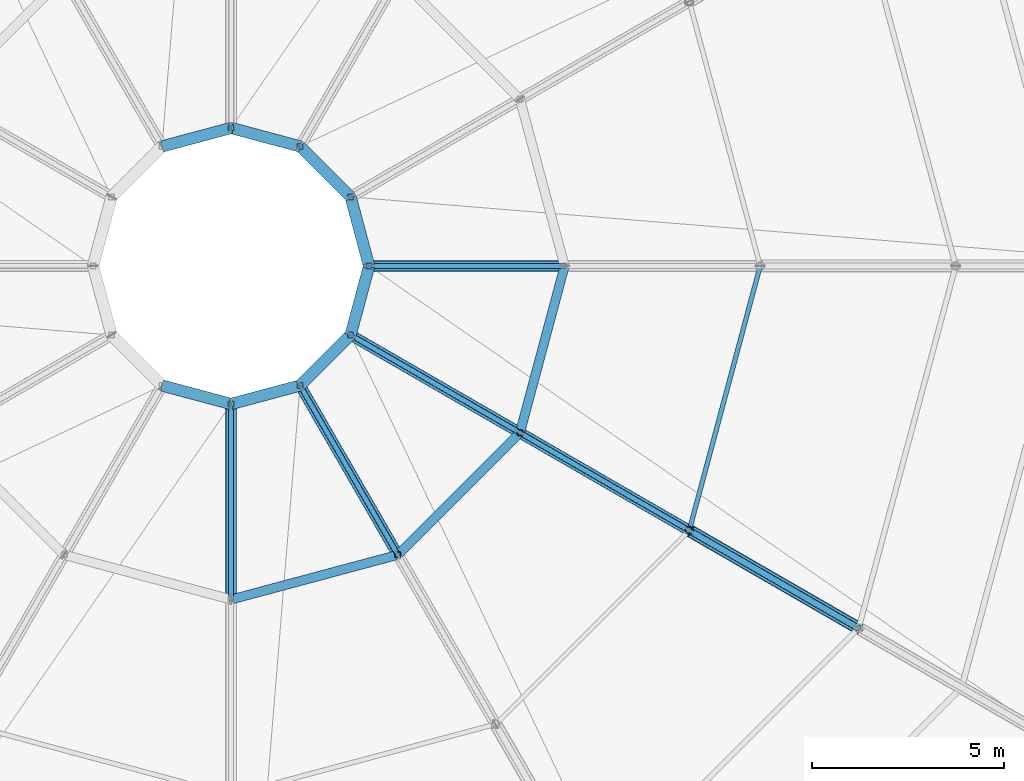
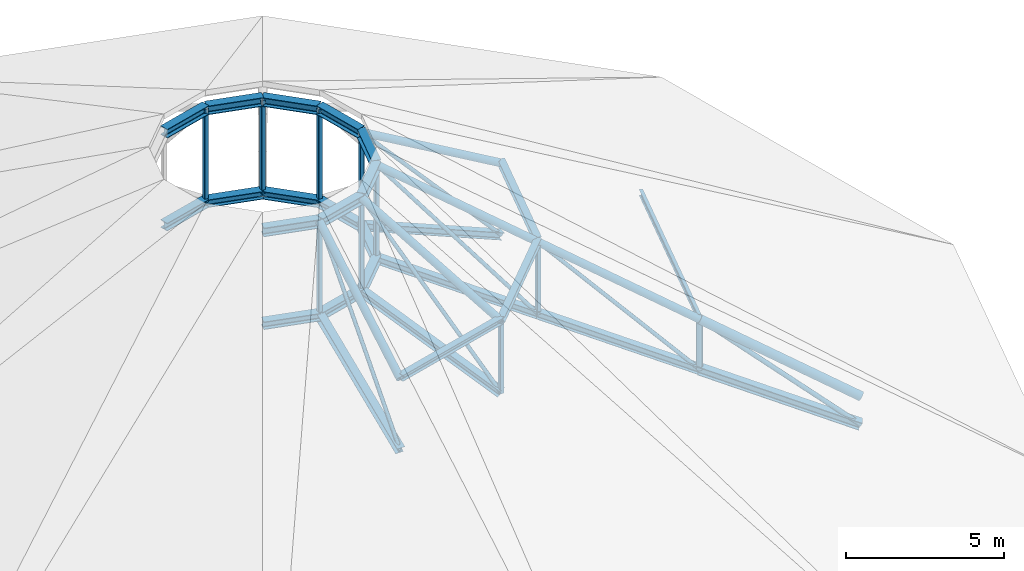
# One storey, part 19 of 58: 32 members, 16 beams.
"""IFC4 building model written with IfcOpenShell, lengths in metres."""

from ifc_helpers import new_model, si_unit, derived_unit, direction, frame, origin, origin_2d, place, context, subcontext, project, spatial, hollow_rectangle, hollow_circle, i_section, extrude, material, material_profile, profile_set, type_object, element, save


model = new_model("IFC4")

# Units and contexts
model_context = context("Model", 3, precision=1e-05, world=origin(), true_north=direction((0.0, 1.0)))
body_context = subcontext(model_context, "Body", "Model", "MODEL_VIEW")
ifc_project = project(units=[si_unit("LENGTHUNIT", "METRE"), si_unit("AREAUNIT", "SQUARE_METRE"), si_unit("VOLUMEUNIT", "CUBIC_METRE"), si_unit("PLANEANGLEUNIT", "RADIAN"), si_unit("MASSUNIT", "GRAM", prefix="KILO"), derived_unit("THERMALTRANSMITTANCEUNIT", [(si_unit("POWERUNIT", "WATT"), 1), (si_unit("AREAUNIT", "SQUARE_METRE"), -1), (si_unit("THERMODYNAMICTEMPERATUREUNIT", "KELVIN"), -1)])], contexts=[model_context])

# Site, building, storey
site_placement = place(None, origin())
site = spatial("IfcSite", under=ifc_project, at=site_placement, CompositionType="ELEMENT")
building_placement = place(site_placement, origin())
building = spatial("IfcBuilding", under=site, at=building_placement, Name="Yasenodar Specialist Clinic", CompositionType="ELEMENT")
storey_placement = place(building_placement, frame((0.0, 0.0, 21.300048828125)))
storey = spatial("IfcBuildingStorey", under=building, at=storey_placement, Name="L05", CompositionType="ELEMENT", Elevation=21.300048828125)

# Beams
ifc_material = material(Name="Steel S355", Category="steel")
ifc_material_profile_1 = material_profile(ifc_material, i_section(OverallWidth=0.300048828125, OverallDepth=0.300048828125, WebThickness=0.010986328125, FlangeThickness=0.01904296875, FilletRadius=0.027099609375, at=origin_2d()), Name="HEB 300")
ifc_profile_set_1 = profile_set([ifc_material_profile_1], Name="Steel S355")
beam_type_1 = type_object("IfcBeamType", Name="BM-HEB300", PredefinedType="BEAM", material=ifc_profile_set_1)
for number, where, z_axis, x_axis, name in (
    (1, (84.60009765625, 58.800048828125, 8.300048828125), (-0.25886923328, 0.96591237701, 0.0), (-0.96591237701, -0.25886923328, 0.0), "Chhatri Tension Tie Ring Segment 01"),
    (2, (84.11767578125, 60.60009765625, 8.300048828125), (-0.707106781187, 0.707106781187, 0.0), (-0.707106781187, -0.707106781187, 0.0), "Chhatri Tension Tie Ring Segment 02"),
    (3, (82.800048828125, 61.917724609375, 8.300048828125), (-0.965945127956, 0.258746999554, 0.0), (-0.258746999554, -0.965945127956, 0.0), "Chhatri Tension Tie Ring Segment 03"),
    (4, (81.0, 62.39990234375, 8.300048828125), (-0.965945127956, -0.258746999554, 0.0), (0.258746999554, -0.965945127956, 0.0), "Chhatri Tension Tie Ring Segment 04"),
    (5, (79.199951171875, 55.682373046875, 8.300048828125), (0.96591237701, -0.25886923328, 0.0), (0.25886923328, 0.96591237701, 0.0), "Chhatri Tension Tie Ring Segment 09"),
    (6, (81.0, 55.199951171875, 8.300048828125), (0.96591237701, 0.25886923328, 0.0), (-0.25886923328, 0.96591237701, 0.0), "Chhatri Tension Tie Ring Segment 10"),
    (7, (82.800048828125, 55.682373046875, 8.300048828125), (0.707106781187, 0.707106781187, 0.0), (-0.707106781187, 0.707106781187, 0.0), "Chhatri Tension Tie Ring Segment 11"),
    (8, (84.11767578125, 57.0, 8.300048828125), (0.25886923328, 0.96591237701, 0.0), (-0.96591237701, 0.25886923328, 0.0), "Chhatri Tension Tie Ring Segment 12"),
):
    element("IfcBeam", number, at=place(storey_placement, frame(where, z_axis=z_axis, x_axis=x_axis)), inside=storey, type_object=beam_type_1, Name=name, PredefinedType="BEAM", context=body_context, shape_type="SweptSolid", body=[
        extrude(i_section(OverallWidth=0.300048828125, OverallDepth=0.300048828125, WebThickness=0.010986328125, FlangeThickness=0.01904296875, FilletRadius=0.027099609375, at=origin_2d()), origin(), (0.0, 0.0, 1.0), 1.863525390625),
    ])
ifc_material_profile_2 = material_profile(ifc_material, i_section(OverallWidth=0.300048828125, OverallDepth=0.340087890625, WebThickness=0.011962890625, FlangeThickness=0.021484375, FilletRadius=0.027099609375, at=origin_2d()), Name="HEB 340")
ifc_profile_set_2 = profile_set([ifc_material_profile_2], Name="Steel S355")
beam_type_2 = type_object("IfcBeamType", Name="BM-HEB340", PredefinedType="BEAM", material=ifc_profile_set_2)
for number, where, z_axis, x_axis, name in (
    (9, (84.60009765625, 58.800048828125, 11.89990234375), (-0.25886923328, 0.96591237701, 0.0), (-0.96591237701, -0.25886923328, 0.0), "Chhatri Compression Ring Segment 01"),
    (10, (84.11767578125, 60.60009765625, 11.89990234375), (-0.707106781187, 0.707106781187, 0.0), (-0.707106781187, -0.707106781187, 0.0), "Chhatri Compression Ring Segment 02"),
    (11, (82.800048828125, 61.917724609375, 11.89990234375), (-0.965945127956, 0.258746999554, 0.0), (-0.258746999554, -0.965945127956, 0.0), "Chhatri Compression Ring Segment 03"),
    (12, (81.0, 62.39990234375, 11.89990234375), (-0.965945127956, -0.258746999554, 0.0), (0.258746999554, -0.965945127956, 0.0), "Chhatri Compression Ring Segment 04"),
    (13, (79.199951171875, 55.682373046875, 11.89990234375), (0.96591237701, -0.25886923328, 0.0), (0.25886923328, 0.96591237701, 0.0), "Chhatri Compression Ring Segment 09"),
    (14, (81.0, 55.199951171875, 11.89990234375), (0.96591237701, 0.25886923328, 0.0), (-0.25886923328, 0.96591237701, 0.0), "Chhatri Compression Ring Segment 10"),
    (15, (82.800048828125, 55.682373046875, 11.89990234375), (0.707106781187, 0.707106781187, 0.0), (-0.707106781187, 0.707106781187, 0.0), "Chhatri Compression Ring Segment 11"),
    (16, (84.11767578125, 57.0, 11.89990234375), (0.25886923328, 0.96591237701, 0.0), (-0.96591237701, 0.25886923328, 0.0), "Chhatri Compression Ring Segment 12"),
):
    element("IfcBeam", number, at=place(storey_placement, frame(where, z_axis=z_axis, x_axis=x_axis)), inside=storey, type_object=beam_type_2, Name=name, PredefinedType="BEAM", context=body_context, shape_type="SweptSolid", body=[
        extrude(i_section(OverallWidth=0.300048828125, OverallDepth=0.340087890625, WebThickness=0.011962890625, FlangeThickness=0.021484375, FilletRadius=0.027099609375, at=origin_2d()), origin(), (0.0, 0.0, 1.0), 1.863525390625),
    ])

# Members
ifc_material_profile_3 = material_profile(ifc_material, i_section(OverallWidth=0.239990234375, OverallDepth=0.22998046875, WebThickness=0.007568359375, FlangeThickness=0.011962890625, FilletRadius=0.02099609375, at=origin_2d()), Name="HEA 240")
ifc_profile_set_3 = profile_set([ifc_material_profile_3], Name="Steel S355")
member_type_1 = type_object("IfcMemberType", Name="PR-HEA240", PredefinedType="PURLIN", material=ifc_profile_set_3)
for number, where, z_axis, x_axis, name in (
    (17, (81.0, 50.10009765625, 8.98486328125), (0.965930145555, 0.258802924845, 0.0), (-0.258802924845, 0.965930145555, 0.0), "Drum Roof Concentric Purlin 4.10"),
    (18, (85.35009765625, 51.265625, 8.98486328125), (0.707106781187, 0.707106781187, 0.0), (-0.707106781187, 0.707106781187, 0.0), "Drum Roof Concentric Purlin 4.11"),
    (19, (88.534423828125, 54.449951171875, 8.98486328125), (0.258802924845, 0.965930145555, 0.0), (-0.965930145555, 0.258802924845, 0.0), "Drum Roof Concentric Purlin 4.12"),
):
    element("IfcMember", number, at=place(storey_placement, frame(where, z_axis=z_axis, x_axis=x_axis)), inside=storey, type_object=member_type_1, Name=name, PredefinedType="PURLIN", context=body_context, shape_type="SweptSolid", body=[
        extrude(i_section(OverallWidth=0.239990234375, OverallDepth=0.22998046875, WebThickness=0.007568359375, FlangeThickness=0.011962890625, FilletRadius=0.02099609375, at=origin_2d()), origin(), (0.0, 0.0, 1.0), 4.50341796875),
    ])
ifc_material_profile_4 = material_profile(ifc_material, i_section(OverallWidth=0.1201171875, OverallDepth=0.239990234375, WebThickness=0.006103515625, FlangeThickness=0.009765625, FilletRadius=0.014892578125, at=origin_2d()), Name="IPE 240")
ifc_profile_set_4 = profile_set([ifc_material_profile_4], Name="Steel S355")
member_type_2 = type_object("IfcMemberType", Name="PR-IPE240", PredefinedType="PURLIN", material=ifc_profile_set_4)
member_1_placement = place(storey_placement, frame((92.951171875, 51.89990234375, 6.010009765625), z_axis=(0.258817513709, 0.965926236623, 0.0), x_axis=(-0.965926236623, 0.258817513709, 0.0)))
element("IfcMember", 20, at=member_1_placement, inside=storey, type_object=member_type_2, Name="Drum Roof Concentric Purlin 3.12", PredefinedType="PURLIN", context=body_context, shape_type="SweptSolid", body=[
    extrude(i_section(OverallWidth=0.1201171875, OverallDepth=0.239990234375, WebThickness=0.006103515625, FlangeThickness=0.009765625, FilletRadius=0.014892578125, at=origin_2d()), origin(), (0.0, 0.0, 1.0), 7.1435546875),
])
ifc_material_profile_5 = material_profile(ifc_material, hollow_circle(Radius=0.06982421875, WallThickness=0.00634765625, at=origin_2d()), Name="CHS 139.7x6.3")
ifc_profile_set_5 = profile_set([ifc_material_profile_5], Name="Steel S355")
member_type_3 = type_object("IfcMemberType", Name="TR-BRC-CHS139", PredefinedType="BRACE", material=ifc_profile_set_5)
for number, where, z_axis, x_axis, name in (
    (21, (89.699951171875, 58.800048828125, 6.162353515625), (-0.664350020504, 0.0, 0.747421601411), (0.0, -1.0, 0.0), "Drum Roof Truss 01 Web Diagonal 4"),
    (22, (81.0, 50.10009765625, 6.162353515625), (0.0, 0.664350020504, 0.747421601411), (-1.0, 0.0, 0.0), "Drum Roof Truss 10 Web Diagonal 4"),
    (23, (85.35009765625, 51.265625, 6.162353515625), (-0.332185538726, 0.575353621933, 0.747409511306), (-0.86602216432, -0.500005610874, 0.0), "Drum Roof Truss 11 Web Diagonal 4"),
):
    element("IfcMember", number, at=place(storey_placement, frame(where, z_axis=z_axis, x_axis=x_axis)), inside=storey, type_object=member_type_3, Name=name, PredefinedType="BRACE", context=body_context, shape_type="SweptSolid", body=[
        extrude(hollow_circle(Radius=0.06982421875, WallThickness=0.00634765625, at=origin_2d()), origin(), (0.0, 0.0, 1.0), 7.676513671875),
    ])
member_2_placement = place(storey_placement, frame((92.951171875, 51.89990234375, 4.02490234375), z_axis=(-0.624486076732, 0.360552599163, 0.692834008407), x_axis=(-0.500005610874, -0.86602216432, 0.0)))
element("IfcMember", 24, at=member_2_placement, inside=storey, type_object=member_type_3, Name="Drum Roof Truss 12 Web Diagonal 3", PredefinedType="BRACE", context=body_context, shape_type="SweptSolid", body=[
    extrude(hollow_circle(Radius=0.06982421875, WallThickness=0.00634765625, at=origin_2d()), origin(), (0.0, 0.0, 1.0), 7.072509765625),
])
member_3_placement = place(storey_placement, frame((88.534423828125, 54.449951171875, 6.162353515625), z_axis=(-0.575353621933, 0.332185538726, 0.747409511306), x_axis=(-0.500005610874, -0.86602216432, 0.0)))
element("IfcMember", 25, at=member_3_placement, inside=storey, type_object=member_type_3, Name="Drum Roof Truss 12 Web Diagonal 4", PredefinedType="BRACE", context=body_context, shape_type="SweptSolid", body=[
    extrude(hollow_circle(Radius=0.06982421875, WallThickness=0.00634765625, at=origin_2d()), origin(), (0.0, 0.0, 1.0), 7.676513671875),
])
ifc_material_profile_6 = material_profile(ifc_material, hollow_circle(Radius=0.084228515625, WallThickness=0.008056640625, at=origin_2d()), Name="CHS 168.3x8")
ifc_profile_set_6 = profile_set([ifc_material_profile_6], Name="Steel S355")
member_type_4 = type_object("IfcMemberType", Name="TR-BRC-CHS168", PredefinedType="BRACE", material=ifc_profile_set_6)
member_4_placement = place(storey_placement, frame((97.367919921875, 49.35009765625, 1.887451171875), z_axis=(-0.677394044093, 0.391062041706, 0.623063229988), x_axis=(-0.499969707105, -0.866042892689, 0.0)))
element("IfcMember", 26, at=member_4_placement, inside=storey, type_object=member_type_4, Name="Drum Roof Truss 12 Web Diagonal 2", PredefinedType="BRACE", context=body_context, shape_type="SweptSolid", body=[
    extrude(hollow_circle(Radius=0.084228515625, WallThickness=0.008056640625, at=origin_2d()), origin(), (0.0, 0.0, 1.0), 6.520263671875),
])
ifc_material_profile_7 = material_profile(ifc_material, hollow_circle(Radius=0.136474609375, WallThickness=0.012451171875, at=origin_2d()), Name="CHS 273x12.5")
ifc_profile_set_7 = profile_set([ifc_material_profile_7], Name="Steel S355")
member_type_5 = type_object("IfcMemberType", Name="TR-CHD-CHS273", PredefinedType="CHORD", material=ifc_profile_set_7)
for number, where, z_axis, x_axis, name in (
    (27, (89.699951171875, 58.800048828125, 8.925048828125), (-0.863783400208, 0.0, 0.503863312343), (0.0, -1.0, 0.0), "Drum Roof Truss 01 Top Chord 4"),
    (28, (81.0, 50.10009765625, 8.925048828125), (0.0, 0.863783400208, 0.503863312343), (-1.0, 0.0, 0.0), "Drum Roof Truss 10 Top Chord 4"),
):
    element("IfcMember", number, at=place(storey_placement, frame(where, z_axis=z_axis, x_axis=x_axis)), inside=storey, type_object=member_type_5, Name=name, PredefinedType="CHORD", context=body_context, shape_type="SweptSolid", body=[
        extrude(hollow_circle(Radius=0.136474609375, WallThickness=0.012451171875, at=origin_2d()), origin(), (0.0, 0.0, 1.0), 5.904052734375),
    ])
for number, where, z_axis, x_axis, name in (
    (29, (85.35009765625, 51.265625, 8.925048828125), (-0.431900565152, 0.748062529838, 0.503849534359), (-0.86602216432, -0.500005610874, 0.0), "Drum Roof Truss 11 Top Chord 4"),
    (30, (92.951171875, 51.89990234375, 5.949951171875), (-0.748046944425, 0.431891566774, 0.50388038609), (-0.500005610874, -0.86602216432, 0.0), "Drum Roof Truss 12 Top Chord 3"),
    (31, (88.534423828125, 54.449951171875, 8.925048828125), (-0.748062529838, 0.431900565152, 0.503849534359), (-0.500005610874, -0.86602216432, 0.0), "Drum Roof Truss 12 Top Chord 4"),
):
    element("IfcMember", number, at=place(storey_placement, frame(where, z_axis=z_axis, x_axis=x_axis)), inside=storey, type_object=member_type_5, Name=name, PredefinedType="CHORD", context=body_context, shape_type="SweptSolid", body=[
        extrude(hollow_circle(Radius=0.136474609375, WallThickness=0.012451171875, at=origin_2d()), origin(), (0.0, 0.0, 1.0), 5.904296875),
    ])
ifc_material_profile_8 = material_profile(ifc_material, hollow_circle(Radius=0.161865234375, WallThickness=0.01611328125, at=origin_2d()), Name="CHS 323.9x16")
ifc_profile_set_8 = profile_set([ifc_material_profile_8], Name="Steel S355")
member_type_6 = type_object("IfcMemberType", Name="TR-CHD-CHS324", PredefinedType="CHORD", material=ifc_profile_set_8)
member_5_placement = place(storey_placement, frame((97.367919921875, 49.35009765625, 2.974853515625), z_axis=(-0.748060303017, 0.431857929617, 0.503889384366), x_axis=(-0.499969707105, -0.866042892689, 0.0)))
element("IfcMember", 32, at=member_5_placement, inside=storey, type_object=member_type_6, Name="Drum Roof Truss 12 Top Chord 2", PredefinedType="CHORD", context=body_context, shape_type="SweptSolid", body=[
    extrude(hollow_circle(Radius=0.161865234375, WallThickness=0.01611328125, at=origin_2d()), origin(), (0.0, 0.0, 1.0), 5.904296875),
])
ifc_material_profile_9 = material_profile(ifc_material, i_section(OverallWidth=0.280029296875, OverallDepth=0.27001953125, WebThickness=0.008056640625, FlangeThickness=0.012939453125, FilletRadius=0.02392578125, at=origin_2d()), Name="HEA 280")
ifc_profile_set_9 = profile_set([ifc_material_profile_9], Name="Steel S355")
member_type_7 = type_object("IfcMemberType", Name="TR-CHD-HEA280", PredefinedType="CHORD", material=ifc_profile_set_9)
for number, where, z_axis, x_axis, name in (
    (33, (89.699951171875, 58.800048828125, 6.162353515625), (-0.922255828978, 0.0, 0.38658011578), (0.0, -1.0, 0.0), "Drum Roof Truss 01 Bottom Chord 4"),
    (34, (81.0, 50.10009765625, 6.162353515625), (0.0, 0.922255828978, 0.38658011578), (-1.0, 0.0, 0.0), "Drum Roof Truss 10 Bottom Chord 4"),
):
    element("IfcMember", number, at=place(storey_placement, frame(where, z_axis=z_axis, x_axis=x_axis)), inside=storey, type_object=member_type_7, Name=name, PredefinedType="CHORD", context=body_context, shape_type="SweptSolid", body=[
        extrude(i_section(OverallWidth=0.280029296875, OverallDepth=0.27001953125, WebThickness=0.008056640625, FlangeThickness=0.012939453125, FilletRadius=0.02392578125, at=origin_2d()), origin(), (0.0, 0.0, 1.0), 5.52978515625),
    ])
member_6_placement = place(storey_placement, frame((85.35009765625, 51.265625, 6.162353515625), z_axis=(-0.461135614713, 0.798698363405, 0.386568065335), x_axis=(-0.86602216432, -0.500005610874, 0.0)))
element("IfcMember", 35, at=member_6_placement, inside=storey, type_object=member_type_7, Name="Drum Roof Truss 11 Bottom Chord 4", PredefinedType="CHORD", context=body_context, shape_type="SweptSolid", body=[
    extrude(i_section(OverallWidth=0.280029296875, OverallDepth=0.27001953125, WebThickness=0.008056640625, FlangeThickness=0.012939453125, FilletRadius=0.02392578125, at=origin_2d()), origin(), (0.0, 0.0, 1.0), 5.530029296875),
])
member_7_placement = place(storey_placement, frame((92.951171875, 51.89990234375, 4.02490234375), z_axis=(-0.798711994016, 0.461143484467, 0.38653051283), x_axis=(-0.500005610874, -0.86602216432, 0.0)))
element("IfcMember", 36, at=member_7_placement, inside=storey, type_object=member_type_7, Name="Drum Roof Truss 12 Bottom Chord 3", PredefinedType="CHORD", context=body_context, shape_type="SweptSolid", body=[
    extrude(i_section(OverallWidth=0.280029296875, OverallDepth=0.27001953125, WebThickness=0.008056640625, FlangeThickness=0.012939453125, FilletRadius=0.02392578125, at=origin_2d()), origin(), (0.0, 0.0, 1.0), 5.52978515625),
])
member_8_placement = place(storey_placement, frame((88.534423828125, 54.449951171875, 6.162353515625), z_axis=(-0.798698363405, 0.461135614713, 0.386568065335), x_axis=(-0.500005610874, -0.86602216432, 0.0)))
element("IfcMember", 37, at=member_8_placement, inside=storey, type_object=member_type_7, Name="Drum Roof Truss 12 Bottom Chord 4", PredefinedType="CHORD", context=body_context, shape_type="SweptSolid", body=[
    extrude(i_section(OverallWidth=0.280029296875, OverallDepth=0.27001953125, WebThickness=0.008056640625, FlangeThickness=0.012939453125, FilletRadius=0.02392578125, at=origin_2d()), origin(), (0.0, 0.0, 1.0), 5.530029296875),
])
ifc_material_profile_10 = material_profile(ifc_material, i_section(OverallWidth=0.300048828125, OverallDepth=0.300048828125, WebThickness=0.010986328125, FlangeThickness=0.01904296875, FilletRadius=0.027099609375, at=origin_2d()), Name="HEB 300")
ifc_profile_set_10 = profile_set([ifc_material_profile_10], Name="Steel S355")
member_type_8 = type_object("IfcMemberType", Name="TR-CHD-HEB300", PredefinedType="CHORD", material=ifc_profile_set_10)
member_9_placement = place(storey_placement, frame((97.367919921875, 49.35009765625, 1.887451171875), z_axis=(-0.798728254984, 0.461108722296, 0.3865383822), x_axis=(-0.499969707105, -0.866042892689, 0.0)))
element("IfcMember", 38, at=member_9_placement, inside=storey, type_object=member_type_8, Name="Drum Roof Truss 12 Bottom Chord 2", PredefinedType="CHORD", context=body_context, shape_type="SweptSolid", body=[
    extrude(i_section(OverallWidth=0.300048828125, OverallDepth=0.300048828125, WebThickness=0.010986328125, FlangeThickness=0.01904296875, FilletRadius=0.027099609375, at=origin_2d()), origin(), (0.0, 0.0, 1.0), 5.52978515625),
])
ifc_material_profile_11 = material_profile(ifc_material, hollow_circle(Radius=0.109619140625, WallThickness=0.010009765625, at=origin_2d()), Name="CHS 219.1x10")
ifc_profile_set_11 = profile_set([ifc_material_profile_11], Name="Steel S355")
member_type_9 = type_object("IfcMemberType", Name="TR-STR-CHS219", PredefinedType="STRUT", material=ifc_profile_set_11)
member_10_placement = place(storey_placement, frame((92.951171875, 51.89990234375, 4.02490234375), z_axis=(0.0, 0.0, 1.0), x_axis=(1.0, 0.0, 0.0)))
element("IfcMember", 39, at=member_10_placement, inside=storey, type_object=member_type_9, Name="Drum Roof Truss 12 Strut 2", PredefinedType="STRUT", context=body_context, shape_type="SweptSolid", body=[
    extrude(hollow_circle(Radius=0.109619140625, WallThickness=0.010009765625, at=origin_2d()), origin(), (0.0, 0.0, 1.0), 1.925048828125),
])
ifc_material_profile_12 = material_profile(ifc_material, hollow_rectangle(XDim=0.14990234375, YDim=0.14990234375, WallThickness=0.008056640625, InnerFilletRadius=0.011962890625, OuterFilletRadius=0.02001953125, at=origin_2d()), Name="SHS 150x150x8")
ifc_profile_set_12 = profile_set([ifc_material_profile_12], Name="Steel S355")
member_type_10 = type_object("IfcMemberType", Name="TR-STR-SHS150", PredefinedType="STRUT", material=ifc_profile_set_12)
for number, where, z_axis, x_axis, name in (
    (40, (84.60009765625, 58.800048828125, 8.300048828125), (0.0, 0.0, 1.0), (1.0, 0.0, 0.0), "Drum Roof Truss 01 Strut 4"),
    (41, (84.11767578125, 60.60009765625, 8.300048828125), (0.0, 0.0, 1.0), (1.0, 0.0, 0.0), "Drum Roof Truss 02 Strut 4"),
    (42, (82.800048828125, 61.917724609375, 8.300048828125), (0.0, 0.0, 1.0), (1.0, 0.0, 0.0), "Drum Roof Truss 03 Strut 4"),
    (43, (81.0, 62.39990234375, 8.300048828125), (0.0, 0.0, 1.0), (1.0, 0.0, 0.0), "Drum Roof Truss 04 Strut 4"),
    (44, (81.0, 55.199951171875, 8.300048828125), (0.0, 0.0, 1.0), (1.0, 0.0, 0.0), "Drum Roof Truss 10 Strut 4"),
):
    element("IfcMember", number, at=place(storey_placement, frame(where, z_axis=z_axis, x_axis=x_axis)), inside=storey, type_object=member_type_10, Name=name, PredefinedType="STRUT", context=body_context, shape_type="SweptSolid", body=[
        extrude(hollow_rectangle(XDim=0.14990234375, YDim=0.14990234375, WallThickness=0.008056640625, InnerFilletRadius=0.011962890625, OuterFilletRadius=0.02001953125, at=origin_2d()), origin(), (0.0, 0.0, 1.0), 3.599853515625),
    ])
member_11_placement = place(storey_placement, frame((85.35009765625, 51.265625, 6.162353515625), z_axis=(0.0, 0.0, 1.0), x_axis=(1.0, 0.0, 0.0)))
element("IfcMember", 45, at=member_11_placement, inside=storey, type_object=member_type_10, Name="Drum Roof Truss 11 Strut 3", PredefinedType="STRUT", context=body_context, shape_type="SweptSolid", body=[
    extrude(hollow_rectangle(XDim=0.14990234375, YDim=0.14990234375, WallThickness=0.008056640625, InnerFilletRadius=0.011962890625, OuterFilletRadius=0.02001953125, at=origin_2d()), origin(), (0.0, 0.0, 1.0), 2.7626953125),
])
member_12_placement = place(storey_placement, frame((82.800048828125, 55.682373046875, 8.300048828125), z_axis=(0.0, 0.0, 1.0), x_axis=(1.0, 0.0, 0.0)))
element("IfcMember", 46, at=member_12_placement, inside=storey, type_object=member_type_10, Name="Drum Roof Truss 11 Strut 4", PredefinedType="STRUT", context=body_context, shape_type="SweptSolid", body=[
    extrude(hollow_rectangle(XDim=0.14990234375, YDim=0.14990234375, WallThickness=0.008056640625, InnerFilletRadius=0.011962890625, OuterFilletRadius=0.02001953125, at=origin_2d()), origin(), (0.0, 0.0, 1.0), 3.599853515625),
])
member_13_placement = place(storey_placement, frame((88.534423828125, 54.449951171875, 6.162353515625), z_axis=(0.0, 0.0, 1.0), x_axis=(1.0, 0.0, 0.0)))
element("IfcMember", 47, at=member_13_placement, inside=storey, type_object=member_type_10, Name="Drum Roof Truss 12 Strut 3", PredefinedType="STRUT", context=body_context, shape_type="SweptSolid", body=[
    extrude(hollow_rectangle(XDim=0.14990234375, YDim=0.14990234375, WallThickness=0.008056640625, InnerFilletRadius=0.011962890625, OuterFilletRadius=0.02001953125, at=origin_2d()), origin(), (0.0, 0.0, 1.0), 2.7626953125),
])
member_14_placement = place(storey_placement, frame((84.11767578125, 57.0, 8.300048828125), z_axis=(0.0, 0.0, 1.0), x_axis=(1.0, 0.0, 0.0)))
element("IfcMember", 48, at=member_14_placement, inside=storey, type_object=member_type_10, Name="Drum Roof Truss 12 Strut 4", PredefinedType="STRUT", context=body_context, shape_type="SweptSolid", body=[
    extrude(hollow_rectangle(XDim=0.14990234375, YDim=0.14990234375, WallThickness=0.008056640625, InnerFilletRadius=0.011962890625, OuterFilletRadius=0.02001953125, at=origin_2d()), origin(), (0.0, 0.0, 1.0), 3.599853515625),
])

save(model, "model.ifc")
